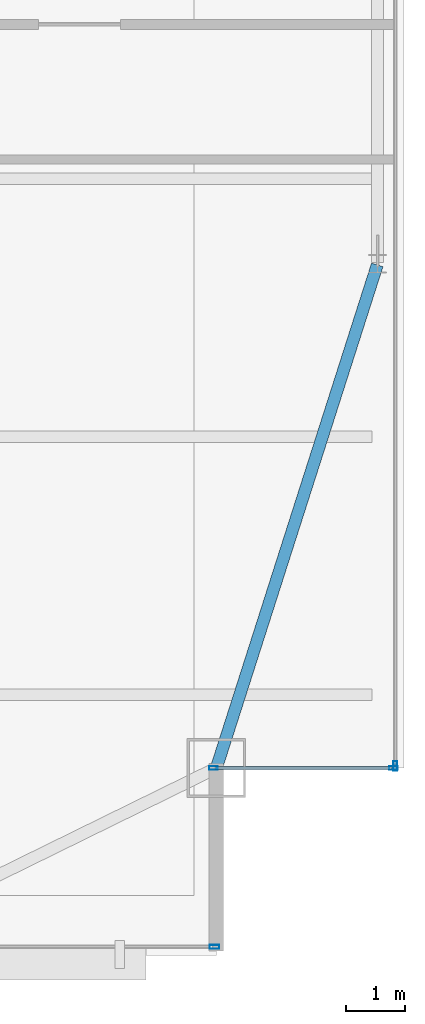
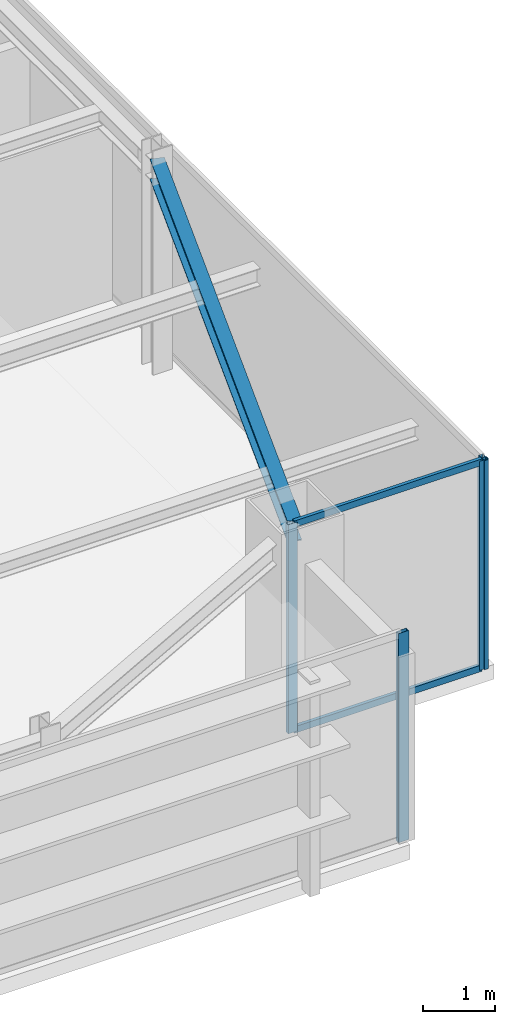
# One storey, part 14 of 24: 6 members, 1 beam, 3 elements without a shape of their own.
"""IFC4 building model written with IfcOpenShell, lengths in metres."""

from ifc_helpers import new_model, si_unit, direction, frame, origin, origin_2d, place, context, subcontext, project, spatial, hollow_rectangle, i_section, extrude, source, transform, mapped, material, layer, layer_set, material_profile, profile_set, type_object, type_shapes, element, aggregate, save


model = new_model("IFC4")

# Units and contexts
model_context = context("Model", 3, precision=1e-05, world=origin(), true_north=direction((0.0, 1.0)))
body_context = subcontext(model_context, "Body", "Model", "MODEL_VIEW")
ifc_project = project(units=[si_unit("LENGTHUNIT", "METRE"), si_unit("AREAUNIT", "SQUARE_METRE"), si_unit("VOLUMEUNIT", "CUBIC_METRE"), si_unit("PLANEANGLEUNIT", "RADIAN"), si_unit("MASSUNIT", "GRAM", prefix="KILO")], contexts=[model_context])

# Site, building, storey
site_placement = place(None, origin())
site = spatial("IfcSite", under=ifc_project, at=site_placement, CompositionType="ELEMENT")
building_placement = place(site_placement, origin())
building = spatial("IfcBuilding", under=site, at=building_placement, Name="Varnel Quay Broadcast Tower", CompositionType="ELEMENT")
storey_placement = place(building_placement, frame((0.0, 0.0, 269.800048828125)))
storey = spatial("IfcBuildingStorey", under=building, at=storey_placement, Name="L67", CompositionType="ELEMENT", Elevation=269.800048828125)

# Beam
ifc_material_1 = material(Name="Structural Steel CSA G40.21 350W", Category="steel")
ifc_material_profile_1 = material_profile(ifc_material_1, i_section(OverallWidth=0.205078125, OverallDepth=0.35400390625, WebThickness=0.009521484375, FlangeThickness=0.016845703125, FilletRadius=0.012939453125, at=origin_2d()), Name="W360X79")
ifc_profile_set_1 = profile_set([ifc_material_profile_1], Name="Structural Steel CSA G40.21 350W")
beam_type = type_object("IfcBeamType", Name="Beam_W360X79", PredefinedType="SPANDREL", material=ifc_profile_set_1)
shared_shape_1 = source(origin(), body_context, "Body", "SweptSolid", [
    extrude(i_section(OverallWidth=0.205078125, OverallDepth=0.35400390625, WebThickness=0.009521484375, FlangeThickness=0.016845703125, FilletRadius=0.012939453125, at=origin_2d()), origin(), (0.0, 0.0, 1.0), 8.989013671875),
])
type_shapes(beam_type, [shared_shape_1])
beam_placement = place(storey_placement, frame((52.80615234375, 16.4189453125, 3.373046875), z_axis=(0.304568770162, 0.952490348635, 0.0), x_axis=(-0.952490348635, 0.304568770162, 0.0)))
element("IfcBeam", 1, at=beam_placement, inside=storey, type_object=beam_type, Name="L67 East Spandrel MC-SE-TC-E1", PredefinedType="SPANDREL", context=body_context, shape_type="MappedRepresentation", body=[
    mapped(shared_shape_1, transform((0.0, 0.0, 0.0), x_axis=(1.0, 0.0, 0.0), y_axis=(0.0, 1.0, 0.0), z_axis=(0.0, 0.0, 1.0), scale=1.0)),
])

# Curtain wall, members
ifc_material_2 = material(Name="Anodised Bronze Aluminium 6063-T6", Category="aluminium")
ifc_layer_1 = layer(ifc_material_2, 0.18994140625, Name="Anodised Bronze Aluminium 6063-T6")
ifc_layer_set_1 = layer_set([ifc_layer_1], Name="Anodised Bronze Aluminium 6063-T6")
curtain_wall_type_1 = type_object("IfcCurtainWallType", Name="CW_NotchCorner", PredefinedType="NOTDEFINED", material=ifc_layer_set_1)
curtain_wall_1_placement = place(storey_placement, origin())
curtain_wall_1 = element("IfcCurtainWall", 2, at=curtain_wall_1_placement, inside=storey, type_object=curtain_wall_type_1, Name="L67 SE Notch Curtain Wall", PredefinedType="NOTDEFINED")
ifc_material_profile_2 = material_profile(ifc_material_2, hollow_rectangle(XDim=0.06005859375, YDim=0.14501953125, WallThickness=0.00341796875, at=origin_2d()), Name="ALU60X145X3.5")
ifc_profile_set_2 = profile_set([ifc_material_profile_2], Name="Anodised Bronze Aluminium 6063-T6")
member_type_1 = type_object("IfcMemberType", Name="Mull_CWS-04", PredefinedType="MULLION", material=ifc_profile_set_2)
shared_shape_2 = source(origin(), body_context, "Body", "SweptSolid", [
    extrude(hollow_rectangle(XDim=0.06005859375, YDim=0.14501953125, WallThickness=0.00341796875, at=origin_2d()), origin(), (0.0, 0.0, 1.0), 3.550048828125),
])
type_shapes(member_type_1, [shared_shape_2])
member_1_placement = place(storey_placement, frame((52.75, 16.39990234375, 0.0), z_axis=(0.0, 0.0, 1.0), x_axis=(0.0, 1.0, 0.0)))
member_1 = element("IfcMember", 3, at=member_1_placement, type_object=member_type_1, Name="CWS-04 mullion 1", PredefinedType="MULLION", context=body_context, shape_type="MappedRepresentation", body=[
    mapped(shared_shape_2, transform((0.0, 0.0, 0.0), x_axis=(1.0, 0.0, 0.0), y_axis=(0.0, 1.0, 0.0), z_axis=(0.0, 0.0, 1.0), scale=1.0)),
])
member_2_placement = place(storey_placement, frame((55.820068359375, 16.39990234375, 0.0), z_axis=(0.0, 0.0, 1.0), x_axis=(0.0, 1.0, 0.0)))
member_2 = element("IfcMember", 4, at=member_2_placement, type_object=member_type_1, Name="CWS-04 mullion 2", PredefinedType="MULLION", context=body_context, shape_type="MappedRepresentation", body=[
    mapped(shared_shape_2, transform((0.0, 0.0, 0.0), x_axis=(1.0, 0.0, 0.0), y_axis=(0.0, 1.0, 0.0), z_axis=(0.0, 0.0, 1.0), scale=1.0)),
])

# Curtain wall, member
ifc_layer_2 = layer(ifc_material_2, 0.18994140625, Name="Anodised Bronze Aluminium 6063-T6")
ifc_layer_set_2 = layer_set([ifc_layer_2], Name="Anodised Bronze Aluminium 6063-T6")
curtain_wall_type_2 = type_object("IfcCurtainWallType", Name="CW_UpperTower", PredefinedType="NOTDEFINED", material=ifc_layer_set_2)
curtain_wall_2_placement = place(storey_placement, origin())
curtain_wall_2 = element("IfcCurtainWall", 5, at=curtain_wall_2_placement, inside=storey, type_object=curtain_wall_type_2, Name="L67 South Unitised Curtain Wall 1", PredefinedType="NOTDEFINED")
ifc_material_profile_3 = material_profile(ifc_material_2, hollow_rectangle(XDim=0.06494140625, YDim=0.1650390625, WallThickness=0.00341796875, at=origin_2d()), Name="ALU65X165X3.5")
ifc_profile_set_3 = profile_set([ifc_material_profile_3], Name="Anodised Bronze Aluminium 6063-T6")
member_type_2 = type_object("IfcMemberType", Name="Mull_CWS-03", PredefinedType="MULLION", material=ifc_profile_set_3)
shared_shape_3 = source(origin(), body_context, "Body", "SweptSolid", [
    extrude(hollow_rectangle(XDim=0.06494140625, YDim=0.1650390625, WallThickness=0.00341796875, at=origin_2d()), origin(), (0.0, 0.0, 1.0), 3.550048828125),
])
type_shapes(member_type_2, [shared_shape_3])
member_3_placement = place(storey_placement, frame((52.767578125, 13.35009765625, 0.0), z_axis=(0.0, 0.0, 1.0), x_axis=(0.0, 1.0, 0.0)))
member_3 = element("IfcMember", 6, at=member_3_placement, type_object=member_type_2, Name="CWS-03 mullion 4", PredefinedType="MULLION", context=body_context, shape_type="MappedRepresentation", body=[
    mapped(shared_shape_3, transform((0.0, 0.0, 0.0), x_axis=(1.0, 0.0, 0.0), y_axis=(0.0, 1.0, 0.0), z_axis=(0.0, 0.0, 1.0), scale=1.0)),
])
aggregate(curtain_wall_2, [member_3])

curtain_wall_3_placement = place(storey_placement, origin())
curtain_wall_3 = element("IfcCurtainWall", 7, at=curtain_wall_3_placement, inside=storey, type_object=curtain_wall_type_2, Name="L67 East Unitised Curtain Wall", PredefinedType="NOTDEFINED")
member_4_placement = place(storey_placement, frame((55.85009765625, 16.4326171875, 0.0), z_axis=(0.0, 0.0, 1.0), x_axis=(-1.0, 0.0, 0.0)))
member_4 = element("IfcMember", 8, at=member_4_placement, type_object=member_type_2, Name="CWS-03 mullion 1", PredefinedType="MULLION", context=body_context, shape_type="MappedRepresentation", body=[
    mapped(shared_shape_3, transform((0.0, 0.0, 0.0), x_axis=(1.0, 0.0, 0.0), y_axis=(0.0, 1.0, 0.0), z_axis=(0.0, 0.0, 1.0), scale=1.0)),
])
aggregate(curtain_wall_3, [member_4])

# Member
ifc_material_profile_4 = material_profile(ifc_material_2, hollow_rectangle(XDim=0.054931640625, YDim=0.110107421875, WallThickness=0.0029296875, at=origin_2d()), Name="ALU55X110X3")
ifc_profile_set_4 = profile_set([ifc_material_profile_4], Name="Anodised Bronze Aluminium 6063-T6")
member_type_3 = type_object("IfcMemberType", Name="Tran_CWS-04", PredefinedType="USERDEFINED", material=ifc_profile_set_4)
shared_shape_4 = source(origin(), body_context, "Body", "SweptSolid", [
    extrude(hollow_rectangle(XDim=0.054931640625, YDim=0.110107421875, WallThickness=0.0029296875, at=origin_2d()), origin(), (0.0, 0.0, 1.0), 3.010009765625),
])
type_shapes(member_type_3, [shared_shape_4])
member_5_placement = place(storey_placement, frame((52.780029296875, 16.39990234375, 0.02734375), z_axis=(1.0, 0.0, 0.0), x_axis=(0.0, 1.0, 0.0)))
member_5 = element("IfcMember", 9, at=member_5_placement, type_object=member_type_3, Name="CWS-04 transom 1.1", ObjectType="TRANSOM", PredefinedType="USERDEFINED", context=body_context, shape_type="MappedRepresentation", body=[
    mapped(shared_shape_4, transform((0.0, 0.0, 0.0), x_axis=(1.0, 0.0, 0.0), y_axis=(0.0, 1.0, 0.0), z_axis=(0.0, 0.0, 1.0), scale=1.0)),
])

member_6_placement = place(storey_placement, frame((52.780029296875, 16.39990234375, 3.5224609375), z_axis=(1.0, 0.0, 0.0), x_axis=(0.0, 1.0, 0.0)))
member_6 = element("IfcMember", 10, at=member_6_placement, type_object=member_type_3, Name="CWS-04 transom 1.2", ObjectType="TRANSOM", PredefinedType="USERDEFINED", context=body_context, shape_type="MappedRepresentation", body=[
    mapped(shared_shape_4, transform((0.0, 0.0, 0.0), x_axis=(1.0, 0.0, 0.0), y_axis=(0.0, 1.0, 0.0), z_axis=(0.0, 0.0, 1.0), scale=1.0)),
])

aggregate(curtain_wall_1, [member_1, member_2, member_5, member_6])

save(model, "model.ifc")
